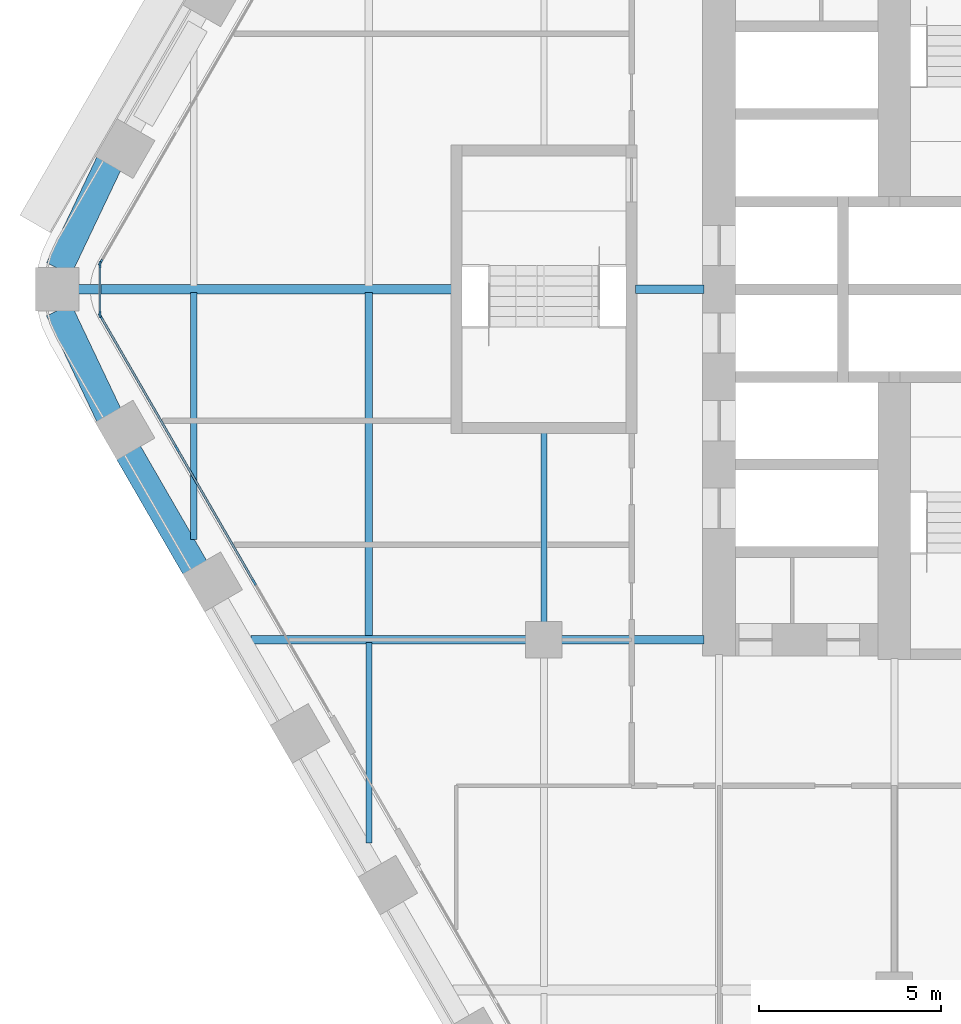
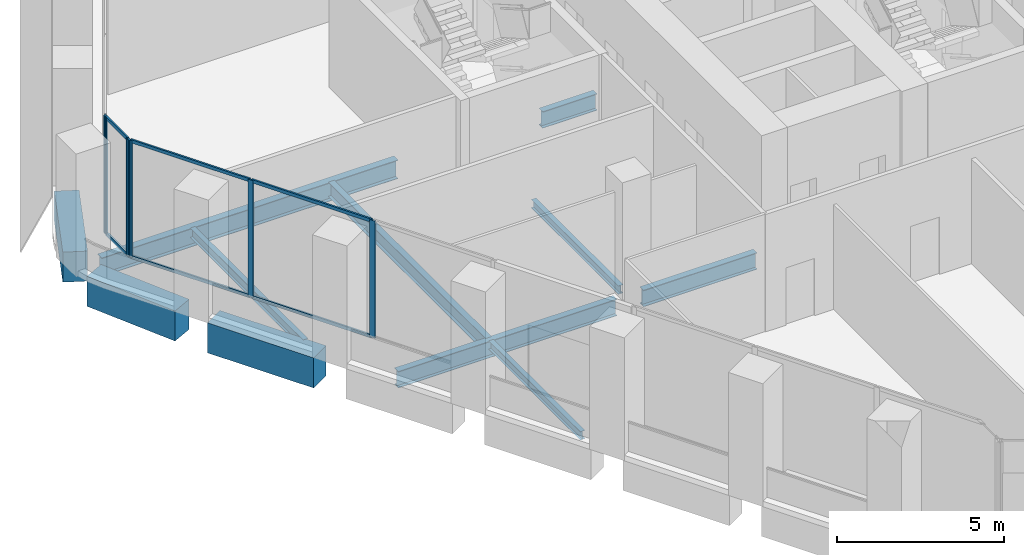
# One storey, part 3 of 23: 12 members, 11 beams, 3 elements without a shape of their own.
"""IFC4 building model written with IfcOpenShell, lengths in metres."""

from ifc_helpers import new_model, si_unit, direction, frame, origin, origin_2d, place, context, subcontext, project, spatial, rectangle, i_section, extrude, material, material_profile, profile_set, type_object, element, aggregate, save


model = new_model("IFC4")

# Units and contexts
model_context = context("Model", 3, precision=1e-05, world=origin(), true_north=direction((0.0, 1.0)))
body_context = subcontext(model_context, "Body", "Model", "MODEL_VIEW")
ifc_project = project(units=[si_unit("LENGTHUNIT", "METRE"), si_unit("AREAUNIT", "SQUARE_METRE"), si_unit("VOLUMEUNIT", "CUBIC_METRE"), si_unit("PLANEANGLEUNIT", "RADIAN"), si_unit("MASSUNIT", "GRAM", prefix="KILO")], contexts=[model_context])

# Site, building, storey
site_placement = place(None, origin())
site = spatial("IfcSite", under=ifc_project, at=site_placement, CompositionType="ELEMENT")
building_placement = place(site_placement, origin())
building = spatial("IfcBuilding", under=site, at=building_placement, Name="Kolab Exchange Tower", CompositionType="ELEMENT")
storey_placement = place(building_placement, frame((0.0, 0.0, 100.39990234375)))
storey = spatial("IfcBuildingStorey", under=building, at=storey_placement, Name="L19", CompositionType="ELEMENT", Elevation=100.39990234375)

# Beams
ifc_material_1 = material(Name="Steel S355", Category="steel")
ifc_material_profile_1 = material_profile(ifc_material_1, i_section(OverallWidth=0.1650390625, OverallDepth=0.31005859375, WebThickness=0.005859375, FlangeThickness=0.009765625, at=origin_2d()), Name="W310X39")
ifc_profile_set_1 = profile_set([ifc_material_profile_1], Name="Steel S355")
beam_type_1 = type_object("IfcBeamType", Name="FLOOR BEAM W310X39", PredefinedType="BEAM", material=ifc_profile_set_1)
beam_1_placement = place(storey_placement, frame((-24.0, -15.167724609375, -0.35498046875), z_axis=(0.0, 1.0, 0.0), x_axis=(-1.0, 0.0, 0.0)))
element("IfcBeam", 1, at=beam_1_placement, inside=storey, type_object=beam_type_1, Name="beam/L19/fr/002", PredefinedType="BEAM", context=body_context, shape_type="SweptSolid", body=[
    extrude(i_section(OverallWidth=0.1650390625, OverallDepth=0.31005859375, WebThickness=0.005859375, FlangeThickness=0.009765625, at=origin_2d()), origin(), (0.0, 0.0, 1.0), 5.49365234375),
])
beam_2_placement = place(storey_placement, frame((-19.199951171875, -9.139892578125, -0.35498046875), z_axis=(0.0, 1.0, 0.0), x_axis=(-1.0, 0.0, 0.0)))
element("IfcBeam", 2, at=beam_2_placement, inside=storey, type_object=beam_type_1, Name="beam/L19/fr/008", PredefinedType="BEAM", context=body_context, shape_type="SweptSolid", body=[
    extrude(i_section(OverallWidth=0.1650390625, OverallDepth=0.31005859375, WebThickness=0.005859375, FlangeThickness=0.009765625, at=origin_2d()), origin(), (0.0, 0.0, 1.0), 5.22998046875),
])
ifc_material_profile_2 = material_profile(ifc_material_1, i_section(OverallWidth=0.1708984375, OverallDepth=0.35498046875, WebThickness=0.007080078125, FlangeThickness=0.01171875, at=origin_2d()), Name="W360X51")
ifc_profile_set_2 = profile_set([ifc_material_profile_2], Name="Steel S355")
beam_type_2 = type_object("IfcBeamType", Name="FLOOR BEAM W360X51", PredefinedType="BEAM", material=ifc_profile_set_2)
beam_3_placement = place(storey_placement, frame((-28.800048828125, -6.853759765625, -0.37744140625), z_axis=(0.0, 1.0, 0.0), x_axis=(-1.0, 0.0, 0.0)))
element("IfcBeam", 3, at=beam_3_placement, inside=storey, type_object=beam_type_2, Name="beam/L19/fr/000", PredefinedType="BEAM", context=body_context, shape_type="SweptSolid", body=[
    extrude(i_section(OverallWidth=0.1708984375, OverallDepth=0.35498046875, WebThickness=0.007080078125, FlangeThickness=0.01171875, at=origin_2d()), origin(), (0.0, 0.0, 1.0), 6.766845703125),
])
ifc_material_profile_3 = material_profile(ifc_material_1, i_section(OverallWidth=0.208984375, OverallDepth=0.532958984375, WebThickness=0.01025390625, FlangeThickness=0.015625, at=origin_2d()), Name="W530X92")
ifc_profile_set_3 = profile_set([ifc_material_profile_3], Name="Steel S355")
beam_type_3 = type_object("IfcBeamType", Name="FLOOR BEAM W530X92", PredefinedType="BEAM", material=ifc_profile_set_3)
beam_4_placement = place(storey_placement, frame((-24.0, -9.52587890625, -0.46630859375), z_axis=(0.0, 1.0, 0.0), x_axis=(-1.0, 0.0, 0.0)))
element("IfcBeam", 4, at=beam_4_placement, inside=storey, type_object=beam_type_3, Name="beam/L19/fr/003", PredefinedType="BEAM", context=body_context, shape_type="SweptSolid", body=[
    extrude(i_section(OverallWidth=0.208984375, OverallDepth=0.532958984375, WebThickness=0.01025390625, FlangeThickness=0.015625, at=origin_2d()), origin(), (0.0, 0.0, 1.0), 9.43896484375),
])
ifc_material_profile_4 = material_profile(ifc_material_1, i_section(OverallWidth=0.22802734375, OverallDepth=0.60791015625, WebThickness=0.01123046875, FlangeThickness=0.017333984375, at=origin_2d()), Name="W610X113")
ifc_profile_set_4 = profile_set([ifc_material_profile_4], Name="Steel S355")
beam_type_4 = type_object("IfcBeamType", Name="FLOOR GIRDER W610X113", PredefinedType="BEAM", material=ifc_profile_set_4)
beam_5_placement = place(storey_placement, frame((-27.2314453125, -9.60009765625, -0.50390625), z_axis=(1.0, 0.0, 0.0), x_axis=(0.0, 1.0, 0.0)))
element("IfcBeam", 5, at=beam_5_placement, inside=storey, type_object=beam_type_4, Name="beam/L19/gd/001", PredefinedType="BEAM", context=body_context, shape_type="SweptSolid", body=[
    extrude(i_section(OverallWidth=0.22802734375, OverallDepth=0.60791015625, WebThickness=0.01123046875, FlangeThickness=0.017333984375, at=origin_2d()), origin(), (0.0, 0.0, 1.0), 7.571533203125),
])
beam_6_placement = place(storey_placement, frame((-18.739990234375, -9.60009765625, -0.50390625), z_axis=(1.0, 0.0, 0.0), x_axis=(0.0, 1.0, 0.0)))
element("IfcBeam", 6, at=beam_6_placement, inside=storey, type_object=beam_type_4, Name="beam/L19/gd/005", PredefinedType="BEAM", context=body_context, shape_type="SweptSolid", body=[
    extrude(i_section(OverallWidth=0.22802734375, OverallDepth=0.60791015625, WebThickness=0.01123046875, FlangeThickness=0.017333984375, at=origin_2d()), origin(), (0.0, 0.0, 1.0), 3.929931640625),
])
beam_7_placement = place(storey_placement, frame((-16.68994140625, 0.0, -0.50390625), z_axis=(1.0, 0.0, 0.0), x_axis=(0.0, 1.0, 0.0)))
element("IfcBeam", 7, at=beam_7_placement, inside=storey, type_object=beam_type_4, Name="beam/L19/gd/007", PredefinedType="BEAM", context=body_context, shape_type="SweptSolid", body=[
    extrude(i_section(OverallWidth=0.22802734375, OverallDepth=0.60791015625, WebThickness=0.01123046875, FlangeThickness=0.017333984375, at=origin_2d()), origin(), (0.0, 0.0, 1.0), 1.8798828125),
])
ifc_material_profile_5 = material_profile(ifc_material_1, i_section(OverallWidth=0.25390625, OverallDepth=0.68408203125, WebThickness=0.012451171875, FlangeThickness=0.018798828125, at=origin_2d()), Name="W690X140")
ifc_profile_set_5 = profile_set([ifc_material_profile_5], Name="Steel S355")
beam_type_5 = type_object("IfcBeamType", Name="FLOOR GIRDER W690X140", PredefinedType="BEAM", material=ifc_profile_set_5)
beam_8_placement = place(storey_placement, frame((-31.975830078125, 0.0, -0.5419921875), z_axis=(1.0, 0.0, 0.0), x_axis=(0.0, 1.0, 0.0)))
element("IfcBeam", 8, at=beam_8_placement, inside=storey, type_object=beam_type_5, Name="beam/L19/gd/000", PredefinedType="BEAM", context=body_context, shape_type="SweptSolid", body=[
    extrude(i_section(OverallWidth=0.25390625, OverallDepth=0.68408203125, WebThickness=0.012451171875, FlangeThickness=0.018798828125, at=origin_2d()), origin(), (0.0, 0.0, 1.0), 10.265869140625),
])
ifc_material_2 = material(Name="Concrete C70/85", Category="concrete")
ifc_material_profile_6 = material_profile(ifc_material_2, rectangle(XDim=0.75, YDim=1.10009765625, at=origin_2d()), Name="RC750X1100")
ifc_profile_set_6 = profile_set([ifc_material_profile_6], Name="Concrete C70/85")
beam_type_6 = type_object("IfcBeamType", Name="SPANDREL BEAM 750X1100 C70/85", PredefinedType="BEAM", material=ifc_profile_set_6)
beam_9_placement = place(storey_placement, frame((-28.755126953125, -7.641357421875, -0.75), z_axis=(-0.500013413428, 0.866017659399, 0.0), x_axis=(-0.866017659399, -0.500013413428, 0.0)))
element("IfcBeam", 9, at=beam_9_placement, inside=storey, type_object=beam_type_6, Name="beam/L19/sp/F5-06", PredefinedType="BEAM", context=body_context, shape_type="SweptSolid", body=[
    extrude(rectangle(XDim=0.75, YDim=1.10009765625, at=origin_2d()), origin(), (0.0, 0.0, 1.0), 3.68017578125),
])
for number, where, z_axis, x_axis, name in (
    (10, (-31.116455078125, -3.4619140625, -0.75), (-0.429041292193, 0.903284877319, 0.0), (-0.903284877319, -0.429041292193, 0.0), "beam/L19/sp/F5-07"),
    (11, (-32.492919921875, 0.56396484375, -0.75), (0.429041292193, 0.903284877319, 0.0), (-0.903284877319, 0.429041292193, 0.0), "beam/L19/sp/F6-01"),
):
    element("IfcBeam", number, at=place(storey_placement, frame(where, z_axis=z_axis, x_axis=x_axis)), inside=storey, type_object=beam_type_6, Name=name, PredefinedType="BEAM", context=body_context, shape_type="SweptSolid", body=[
        extrude(rectangle(XDim=0.75, YDim=1.10009765625, at=origin_2d()), origin(), (0.0, 0.0, 1.0), 3.208251953125),
    ])

# Curtain wall, members
ifc_material_3 = material(Name="Aluminium EN AW-6063 T6", Category="aluminium")
curtain_wall_type = type_object("IfcCurtainWallType", Name="UNITISED LOWER MID ZONE CURTAIN WALL", PredefinedType="NOTDEFINED", material=ifc_material_3)
curtain_wall_1_placement = place(storey_placement, origin())
curtain_wall_1 = element("IfcCurtainWall", 12, at=curtain_wall_1_placement, inside=storey, type_object=curtain_wall_type, Name="cw/L19/F5-2", PredefinedType="NOTDEFINED")
ifc_material_profile_7 = material_profile(ifc_material_3, rectangle(XDim=0.06005859375, YDim=0.179931640625, at=origin_2d()), Name="RECT 60X180")
ifc_profile_set_7 = profile_set([ifc_material_profile_7], Name="Aluminium EN AW-6063 T6")
member_type_1 = type_object("IfcMemberType", Name="UNITISED LOWER MID ZONE MULLION 60 X 180", PredefinedType="MULLION", material=ifc_profile_set_7)
member_1_placement = place(storey_placement, frame((-27.14306640625, -8.02392578125, 0.0), z_axis=(0.0, 0.0, 1.0), x_axis=(-0.866025427826, -0.499999958358, 0.0)))
member_1 = element("IfcMember", 13, at=member_1_placement, type_object=member_type_1, Name="CW2 mullion 2", PredefinedType="MULLION", context=body_context, shape_type="SweptSolid", body=[
    extrude(rectangle(XDim=0.06005859375, YDim=0.179931640625, at=origin_2d()), origin(), (0.0, 0.0, 1.0), 4.300048828125),
])
member_2_placement = place(storey_placement, frame((-29.25439453125, -4.366943359375, 0.0), z_axis=(0.0, 0.0, 1.0), x_axis=(-0.866025427826, -0.499999958358, 0.0)))
member_2 = element("IfcMember", 14, at=member_2_placement, type_object=member_type_1, Name="CW2 mullion 3", PredefinedType="MULLION", context=body_context, shape_type="SweptSolid", body=[
    extrude(rectangle(XDim=0.06005859375, YDim=0.179931640625, at=origin_2d()), origin(), (0.0, 0.0, 1.0), 4.300048828125),
])
member_3_placement = place(storey_placement, frame((-31.3505859375, -0.736083984375, 0.0), z_axis=(0.0, 0.0, 1.0), x_axis=(-0.866025427826, -0.499999958358, 0.0)))
member_3 = element("IfcMember", 15, at=member_3_placement, type_object=member_type_1, Name="CW2 mullion 4", PredefinedType="MULLION", context=body_context, shape_type="SweptSolid", body=[
    extrude(rectangle(XDim=0.06005859375, YDim=0.179931640625, at=origin_2d()), origin(), (0.0, 0.0, 1.0), 4.300048828125),
])

# Curtain wall, member
curtain_wall_2_placement = place(storey_placement, origin())
curtain_wall_2 = element("IfcCurtainWall", 16, at=curtain_wall_2_placement, inside=storey, type_object=curtain_wall_type, Name="cw/L19/F6-1", PredefinedType="NOTDEFINED")
member_4_placement = place(storey_placement, frame((-31.3505859375, 0.736083984375, 0.0), z_axis=(0.0, 0.0, 1.0), x_axis=(-0.866025427826, 0.499999958358, 0.0)))
member_4 = element("IfcMember", 17, at=member_4_placement, type_object=member_type_1, Name="CW2 mullion 1", PredefinedType="MULLION", context=body_context, shape_type="SweptSolid", body=[
    extrude(rectangle(XDim=0.06005859375, YDim=0.179931640625, at=origin_2d()), origin(), (0.0, 0.0, 1.0), 4.300048828125),
])
aggregate(curtain_wall_2, [member_4])

# Curtain wall, members
curtain_wall_3_placement = place(storey_placement, origin())
curtain_wall_3 = element("IfcCurtainWall", 18, at=curtain_wall_3_placement, inside=storey, type_object=curtain_wall_type, Name="cw/L19/F5F6-corner", PredefinedType="NOTDEFINED")
member_5_placement = place(storey_placement, frame((-31.36572265625, -0.679931640625, 0.0), z_axis=(0.0, 0.0, 1.0), x_axis=(-1.0, 0.0, 0.0)))
member_5 = element("IfcMember", 19, at=member_5_placement, type_object=member_type_1, Name="CW2 mullion 1", PredefinedType="MULLION", context=body_context, shape_type="SweptSolid", body=[
    extrude(rectangle(XDim=0.06005859375, YDim=0.179931640625, at=origin_2d()), origin(), (0.0, 0.0, 1.0), 4.300048828125),
])
member_6_placement = place(storey_placement, frame((-31.36572265625, 0.679931640625, 0.0), z_axis=(0.0, 0.0, 1.0), x_axis=(-1.0, 0.0, 0.0)))
member_6 = element("IfcMember", 20, at=member_6_placement, type_object=member_type_1, Name="CW2 mullion 2", PredefinedType="MULLION", context=body_context, shape_type="SweptSolid", body=[
    extrude(rectangle(XDim=0.06005859375, YDim=0.179931640625, at=origin_2d()), origin(), (0.0, 0.0, 1.0), 4.300048828125),
])

# Member
ifc_material_profile_8 = material_profile(ifc_material_3, rectangle(XDim=0.06005859375, YDim=0.1201171875, at=origin_2d()), Name="RECT 60X120")
ifc_profile_set_8 = profile_set([ifc_material_profile_8], Name="Aluminium EN AW-6063 T6")
member_type_2 = type_object("IfcMemberType", Name="UNITISED LOWER MID ZONE TRANSOM 60 X 120", PredefinedType="USERDEFINED", material=ifc_profile_set_8)
member_7_placement = place(storey_placement, frame((-27.157958984375, -7.997802734375, 0.030029296875), z_axis=(-0.49999322259, 0.866029316688, 0.0), x_axis=(-0.866029316688, -0.49999322259, 0.0)))
member_7 = element("IfcMember", 21, at=member_7_placement, type_object=member_type_2, Name="CW2 transom 2.1", ObjectType="TRANSOM", PredefinedType="USERDEFINED", context=body_context, shape_type="SweptSolid", body=[
    extrude(rectangle(XDim=0.06005859375, YDim=0.1201171875, at=origin_2d()), origin(), (0.0, 0.0, 1.0), 4.16259765625),
])

member_8_placement = place(storey_placement, frame((-27.157958984375, -7.997802734375, 4.27001953125), z_axis=(-0.49999322259, 0.866029316688, 0.0), x_axis=(-0.866029316688, -0.49999322259, 0.0)))
member_8 = element("IfcMember", 22, at=member_8_placement, type_object=member_type_2, Name="CW2 transom 2.2", ObjectType="TRANSOM", PredefinedType="USERDEFINED", context=body_context, shape_type="SweptSolid", body=[
    extrude(rectangle(XDim=0.06005859375, YDim=0.1201171875, at=origin_2d()), origin(), (0.0, 0.0, 1.0), 4.16259765625),
])

member_9_placement = place(storey_placement, frame((-29.269287109375, -4.3408203125, 0.030029296875), z_axis=(-0.500027577057, 0.866009481578, 0.0), x_axis=(-0.866009481578, -0.500027577057, 0.0)))
member_9 = element("IfcMember", 23, at=member_9_placement, type_object=member_type_2, Name="CW2 transom 3.1", ObjectType="TRANSOM", PredefinedType="USERDEFINED", context=body_context, shape_type="SweptSolid", body=[
    extrude(rectangle(XDim=0.06005859375, YDim=0.1201171875, at=origin_2d()), origin(), (0.0, 0.0, 1.0), 4.132568359375),
])

member_10_placement = place(storey_placement, frame((-29.269287109375, -4.3408203125, 4.27001953125), z_axis=(-0.500027577057, 0.866009481578, 0.0), x_axis=(-0.866009481578, -0.500027577057, 0.0)))
member_10 = element("IfcMember", 24, at=member_10_placement, type_object=member_type_2, Name="CW2 transom 3.2", ObjectType="TRANSOM", PredefinedType="USERDEFINED", context=body_context, shape_type="SweptSolid", body=[
    extrude(rectangle(XDim=0.06005859375, YDim=0.1201171875, at=origin_2d()), origin(), (0.0, 0.0, 1.0), 4.132568359375),
])

aggregate(curtain_wall_1, [member_1, member_2, member_3, member_7, member_8, member_9, member_10])

member_11_placement = place(storey_placement, frame((-31.36572265625, -0.64990234375, 0.030029296875), z_axis=(0.0, 1.0, 0.0), x_axis=(-1.0, 0.0, 0.0)))
member_11 = element("IfcMember", 25, at=member_11_placement, type_object=member_type_2, Name="CW2 transom 1.1", ObjectType="TRANSOM", PredefinedType="USERDEFINED", context=body_context, shape_type="SweptSolid", body=[
    extrude(rectangle(XDim=0.06005859375, YDim=0.1201171875, at=origin_2d()), origin(), (0.0, 0.0, 1.0), 1.2998046875),
])

member_12_placement = place(storey_placement, frame((-31.36572265625, -0.64990234375, 4.27001953125), z_axis=(0.0, 1.0, 0.0), x_axis=(-1.0, 0.0, 0.0)))
member_12 = element("IfcMember", 26, at=member_12_placement, type_object=member_type_2, Name="CW2 transom 1.2", ObjectType="TRANSOM", PredefinedType="USERDEFINED", context=body_context, shape_type="SweptSolid", body=[
    extrude(rectangle(XDim=0.06005859375, YDim=0.1201171875, at=origin_2d()), origin(), (0.0, 0.0, 1.0), 1.2998046875),
])

aggregate(curtain_wall_3, [member_5, member_6, member_11, member_12])

save(model, "model.ifc")
